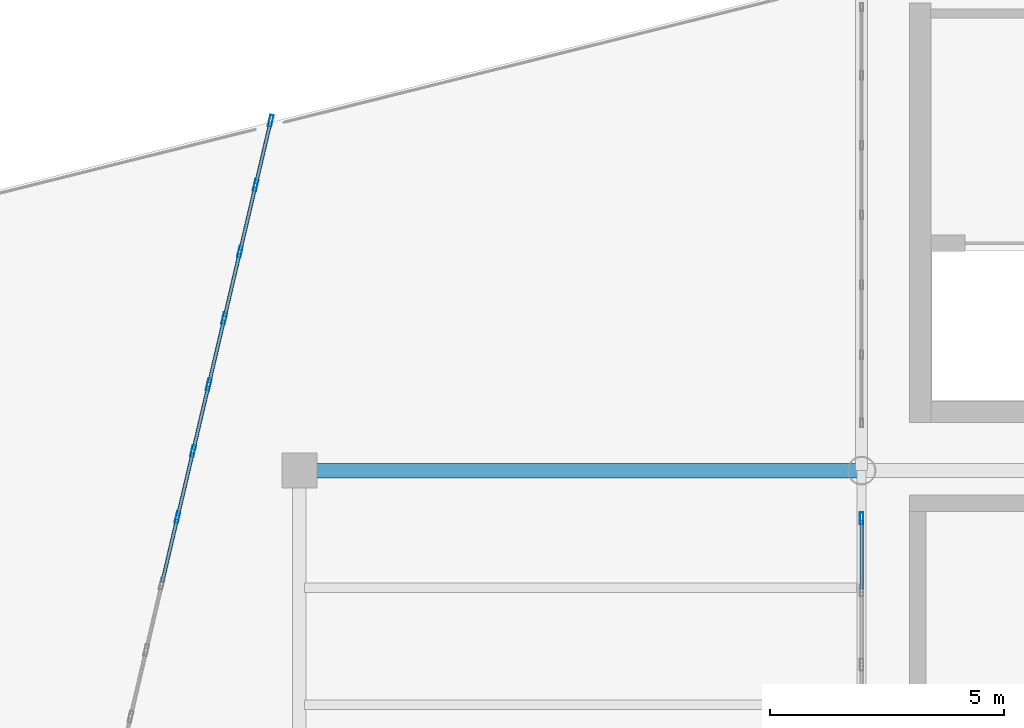
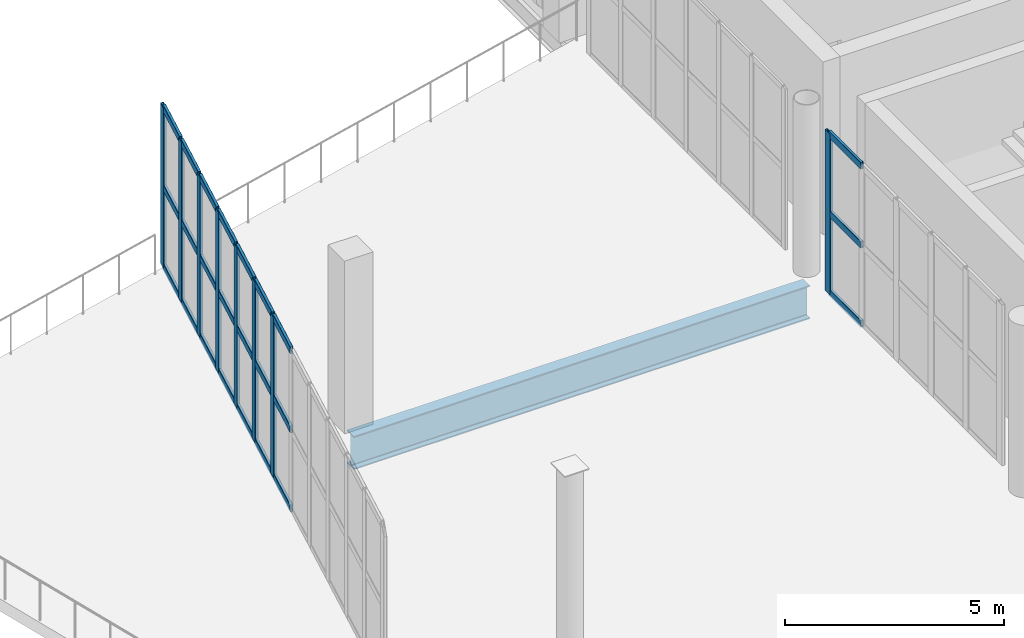
# One storey, part 47 of 136: 32 members, 1 beam, 2 elements without a shape of their own.
"""IFC4 building model written with IfcOpenShell, lengths in metres."""

from ifc_helpers import new_model, si_unit, direction, frame, origin, origin_2d, place, context, subcontext, project, spatial, hollow_rectangle, i_section, extrude, material, layer, layer_set, material_profile, profile_set, type_object, element, aggregate, save


model = new_model("IFC4")

# Units and contexts
model_context = context("Model", 3, precision=1e-05, world=origin(), true_north=direction((0.0, 1.0)))
body_context = subcontext(model_context, "Body", "Model", "MODEL_VIEW")
ifc_project = project(units=[si_unit("LENGTHUNIT", "METRE"), si_unit("AREAUNIT", "SQUARE_METRE"), si_unit("VOLUMEUNIT", "CUBIC_METRE"), si_unit("PLANEANGLEUNIT", "RADIAN"), si_unit("MASSUNIT", "GRAM", prefix="KILO")], contexts=[model_context])

# Site, building, storey
site_placement = place(None, origin())
site = spatial("IfcSite", under=ifc_project, at=site_placement, CompositionType="ELEMENT")
building_placement = place(site_placement, origin())
building = spatial("IfcBuilding", under=site, at=building_placement, Name="Brinegate Civic Arena", CompositionType="ELEMENT")
storey_placement = place(building_placement, frame((0.0, 0.0, 5.39990234375)))
storey = spatial("IfcBuildingStorey", under=building, at=storey_placement, Name="L01", CompositionType="ELEMENT", Elevation=5.39990234375)

# Curtain wall, members
ifc_material_1 = material(Name="Marine grade aluminium", Category="aluminium")
ifc_layer_1 = layer(ifc_material_1, 0.215087890625, Name="Marine grade aluminium")
ifc_layer_set_1 = layer_set([ifc_layer_1], Name="Marine grade aluminium")
curtain_wall_type_1 = type_object("IfcCurtainWallType", Name="CW-FOYER-GLAZED-02", PredefinedType="USERDEFINED", material=ifc_layer_set_1)
curtain_wall_1_placement = place(storey_placement, origin())
curtain_wall_1 = element("IfcCurtainWall", 1, at=curtain_wall_1_placement, inside=storey, type_object=curtain_wall_type_1, Name="Curtain Wall CWA-002", ObjectType="GLAZED CURTAIN WALL", PredefinedType="USERDEFINED")
ifc_material_profile_1 = material_profile(ifc_material_1, hollow_rectangle(XDim=0.074951171875, YDim=0.25, WallThickness=0.006103515625, InnerFilletRadius=0.00390625, OuterFilletRadius=0.008056640625, at=origin_2d()), Name="MUL75X250")
ifc_profile_set_1 = profile_set([ifc_material_profile_1], Name="Marine grade aluminium")
member_type_1 = type_object("IfcMemberType", Name="CW-MULLION-75X250", PredefinedType="MULLION", material=ifc_profile_set_1)
member_1_placement = place(storey_placement, frame((33.39990234375, 81.0, 0.0), z_axis=(0.0, 0.0, 1.0), x_axis=(-0.973417168334, 0.229039333722, 0.0)))
member_1 = element("IfcMember", 2, at=member_1_placement, type_object=member_type_1, Name="CWA-002 mullion 7", PredefinedType="MULLION", context=body_context, shape_type="SweptSolid", body=[
    extrude(hollow_rectangle(XDim=0.074951171875, YDim=0.25, WallThickness=0.006103515625, InnerFilletRadius=0.00390625, OuterFilletRadius=0.008056640625, at=origin_2d()), origin(), (0.0, 0.0, 1.0), 4.47021484375),
])
member_2_placement = place(storey_placement, frame((33.7333984375, 82.416748046875, 0.0), z_axis=(0.0, 0.0, 1.0), x_axis=(-0.973417168334, 0.229039333722, 0.0)))
member_2 = element("IfcMember", 3, at=member_2_placement, type_object=member_type_1, Name="CWA-002 mullion 8", PredefinedType="MULLION", context=body_context, shape_type="SweptSolid", body=[
    extrude(hollow_rectangle(XDim=0.074951171875, YDim=0.25, WallThickness=0.006103515625, InnerFilletRadius=0.00390625, OuterFilletRadius=0.008056640625, at=origin_2d()), origin(), (0.0, 0.0, 1.0), 4.47021484375),
])
member_3_placement = place(storey_placement, frame((34.066650390625, 83.833251953125, 0.0), z_axis=(0.0, 0.0, 1.0), x_axis=(-0.973417168334, 0.229039333722, 0.0)))
member_3 = element("IfcMember", 4, at=member_3_placement, type_object=member_type_1, Name="CWA-002 mullion 9", PredefinedType="MULLION", context=body_context, shape_type="SweptSolid", body=[
    extrude(hollow_rectangle(XDim=0.074951171875, YDim=0.25, WallThickness=0.006103515625, InnerFilletRadius=0.00390625, OuterFilletRadius=0.008056640625, at=origin_2d()), origin(), (0.0, 0.0, 1.0), 4.47021484375),
])
member_4_placement = place(storey_placement, frame((34.39990234375, 85.25, 0.0), z_axis=(0.0, 0.0, 1.0), x_axis=(-0.973417168334, 0.229039333722, 0.0)))
member_4 = element("IfcMember", 5, at=member_4_placement, type_object=member_type_1, Name="CWA-002 mullion 10", PredefinedType="MULLION", context=body_context, shape_type="SweptSolid", body=[
    extrude(hollow_rectangle(XDim=0.074951171875, YDim=0.25, WallThickness=0.006103515625, InnerFilletRadius=0.00390625, OuterFilletRadius=0.008056640625, at=origin_2d()), origin(), (0.0, 0.0, 1.0), 4.47021484375),
])
member_5_placement = place(storey_placement, frame((34.7333984375, 86.666748046875, 0.0), z_axis=(0.0, 0.0, 1.0), x_axis=(-0.973417168334, 0.229039333722, 0.0)))
member_5 = element("IfcMember", 6, at=member_5_placement, type_object=member_type_1, Name="CWA-002 mullion 11", PredefinedType="MULLION", context=body_context, shape_type="SweptSolid", body=[
    extrude(hollow_rectangle(XDim=0.074951171875, YDim=0.25, WallThickness=0.006103515625, InnerFilletRadius=0.00390625, OuterFilletRadius=0.008056640625, at=origin_2d()), origin(), (0.0, 0.0, 1.0), 4.47021484375),
])
member_6_placement = place(storey_placement, frame((35.066650390625, 88.083251953125, 0.0), z_axis=(0.0, 0.0, 1.0), x_axis=(-0.973417168334, 0.229039333722, 0.0)))
member_6 = element("IfcMember", 7, at=member_6_placement, type_object=member_type_1, Name="CWA-002 mullion 12", PredefinedType="MULLION", context=body_context, shape_type="SweptSolid", body=[
    extrude(hollow_rectangle(XDim=0.074951171875, YDim=0.25, WallThickness=0.006103515625, InnerFilletRadius=0.00390625, OuterFilletRadius=0.008056640625, at=origin_2d()), origin(), (0.0, 0.0, 1.0), 4.47021484375),
])
member_7_placement = place(storey_placement, frame((35.391357421875, 89.46337890625, 0.0), z_axis=(0.0, 0.0, 1.0), x_axis=(-0.973417168334, 0.229039333722, 0.0)))
member_7 = element("IfcMember", 8, at=member_7_placement, type_object=member_type_1, Name="CWA-002 mullion 13", PredefinedType="MULLION", context=body_context, shape_type="SweptSolid", body=[
    extrude(hollow_rectangle(XDim=0.074951171875, YDim=0.25, WallThickness=0.006103515625, InnerFilletRadius=0.00390625, OuterFilletRadius=0.008056640625, at=origin_2d()), origin(), (0.0, 0.0, 1.0), 4.47021484375),
])

# Curtain wall, member
ifc_layer_2 = layer(ifc_material_1, 0.199951171875, Name="Marine grade aluminium")
ifc_layer_set_2 = layer_set([ifc_layer_2], Name="Marine grade aluminium")
curtain_wall_type_2 = type_object("IfcCurtainWallType", Name="CW-BOWL-GLAZED-01", PredefinedType="USERDEFINED", material=ifc_layer_set_2)
curtain_wall_2_placement = place(storey_placement, origin())
curtain_wall_2 = element("IfcCurtainWall", 9, at=curtain_wall_2_placement, inside=storey, type_object=curtain_wall_type_2, Name="Curtain Wall CWA-056", ObjectType="GLAZED CURTAIN WALL", PredefinedType="USERDEFINED")
member_8_placement = place(storey_placement, frame((48.0, 80.9814453125, 0.0), z_axis=(0.0, 0.0, 1.0), x_axis=(-1.0, 0.0, 0.0)))
member_8 = element("IfcMember", 10, at=member_8_placement, type_object=member_type_1, Name="CWA-056 mullion 6", PredefinedType="MULLION", context=body_context, shape_type="SweptSolid", body=[
    extrude(hollow_rectangle(XDim=0.074951171875, YDim=0.25, WallThickness=0.006103515625, InnerFilletRadius=0.00390625, OuterFilletRadius=0.008056640625, at=origin_2d()), origin(), (0.0, 0.0, 1.0), 4.47021484375),
])

# Member
ifc_material_profile_2 = material_profile(ifc_material_1, hollow_rectangle(XDim=0.074951171875, YDim=0.18994140625, WallThickness=0.006103515625, InnerFilletRadius=0.00390625, OuterFilletRadius=0.008056640625, at=origin_2d()), Name="TRN75X190")
ifc_profile_set_2 = profile_set([ifc_material_profile_2], Name="Marine grade aluminium")
member_type_2 = type_object("IfcMemberType", Name="CW-TRANSOM-75X190", PredefinedType="USERDEFINED", material=ifc_profile_set_2)
member_9_placement = place(storey_placement, frame((33.0751953125, 79.619873046875, 0.03759765625), z_axis=(0.229068911478, 0.973410208388, 0.0), x_axis=(-0.973410208388, 0.229068911478, 0.0)))
member_9 = element("IfcMember", 11, at=member_9_placement, type_object=member_type_2, Name="CWA-002 transom 6.1", ObjectType="TRANSOM", PredefinedType="USERDEFINED", context=body_context, shape_type="SweptSolid", body=[
    extrude(hollow_rectangle(XDim=0.074951171875, YDim=0.18994140625, WallThickness=0.006103515625, InnerFilletRadius=0.00390625, OuterFilletRadius=0.008056640625, at=origin_2d()), origin(), (0.0, 0.0, 1.0), 1.380126953125),
])

member_10_placement = place(storey_placement, frame((33.0751953125, 79.619873046875, 2.235107421875), z_axis=(0.229068911478, 0.973410208388, 0.0), x_axis=(-0.973410208388, 0.229068911478, 0.0)))
member_10 = element("IfcMember", 12, at=member_10_placement, type_object=member_type_2, Name="CWA-002 transom 6.2", ObjectType="TRANSOM", PredefinedType="USERDEFINED", context=body_context, shape_type="SweptSolid", body=[
    extrude(hollow_rectangle(XDim=0.074951171875, YDim=0.18994140625, WallThickness=0.006103515625, InnerFilletRadius=0.00390625, OuterFilletRadius=0.008056640625, at=origin_2d()), origin(), (0.0, 0.0, 1.0), 1.380126953125),
])

member_11_placement = place(storey_placement, frame((33.0751953125, 79.619873046875, 4.4326171875), z_axis=(0.229068911478, 0.973410208388, 0.0), x_axis=(-0.973410208388, 0.229068911478, 0.0)))
member_11 = element("IfcMember", 13, at=member_11_placement, type_object=member_type_2, Name="CWA-002 transom 6.3", ObjectType="TRANSOM", PredefinedType="USERDEFINED", context=body_context, shape_type="SweptSolid", body=[
    extrude(hollow_rectangle(XDim=0.074951171875, YDim=0.18994140625, WallThickness=0.006103515625, InnerFilletRadius=0.00390625, OuterFilletRadius=0.008056640625, at=origin_2d()), origin(), (0.0, 0.0, 1.0), 1.380126953125),
])

member_12_placement = place(storey_placement, frame((33.40869140625, 81.03662109375, 0.03759765625), z_axis=(0.229068911478, 0.973410208388, 0.0), x_axis=(-0.973410208388, 0.229068911478, 0.0)))
member_12 = element("IfcMember", 14, at=member_12_placement, type_object=member_type_2, Name="CWA-002 transom 7.1", ObjectType="TRANSOM", PredefinedType="USERDEFINED", context=body_context, shape_type="SweptSolid", body=[
    extrude(hollow_rectangle(XDim=0.074951171875, YDim=0.18994140625, WallThickness=0.006103515625, InnerFilletRadius=0.00390625, OuterFilletRadius=0.008056640625, at=origin_2d()), origin(), (0.0, 0.0, 1.0), 1.380126953125),
])

member_13_placement = place(storey_placement, frame((33.40869140625, 81.03662109375, 2.235107421875), z_axis=(0.229068911478, 0.973410208388, 0.0), x_axis=(-0.973410208388, 0.229068911478, 0.0)))
member_13 = element("IfcMember", 15, at=member_13_placement, type_object=member_type_2, Name="CWA-002 transom 7.2", ObjectType="TRANSOM", PredefinedType="USERDEFINED", context=body_context, shape_type="SweptSolid", body=[
    extrude(hollow_rectangle(XDim=0.074951171875, YDim=0.18994140625, WallThickness=0.006103515625, InnerFilletRadius=0.00390625, OuterFilletRadius=0.008056640625, at=origin_2d()), origin(), (0.0, 0.0, 1.0), 1.380126953125),
])

member_14_placement = place(storey_placement, frame((33.40869140625, 81.03662109375, 4.4326171875), z_axis=(0.229068911478, 0.973410208388, 0.0), x_axis=(-0.973410208388, 0.229068911478, 0.0)))
member_14 = element("IfcMember", 16, at=member_14_placement, type_object=member_type_2, Name="CWA-002 transom 7.3", ObjectType="TRANSOM", PredefinedType="USERDEFINED", context=body_context, shape_type="SweptSolid", body=[
    extrude(hollow_rectangle(XDim=0.074951171875, YDim=0.18994140625, WallThickness=0.006103515625, InnerFilletRadius=0.00390625, OuterFilletRadius=0.008056640625, at=origin_2d()), origin(), (0.0, 0.0, 1.0), 1.380126953125),
])

member_15_placement = place(storey_placement, frame((33.741943359375, 82.453125, 0.03759765625), z_axis=(0.229029476125, 0.973419487716, 0.0), x_axis=(-0.973419487716, 0.229029476125, 0.0)))
member_15 = element("IfcMember", 17, at=member_15_placement, type_object=member_type_2, Name="CWA-002 transom 8.1", ObjectType="TRANSOM", PredefinedType="USERDEFINED", context=body_context, shape_type="SweptSolid", body=[
    extrude(hollow_rectangle(XDim=0.074951171875, YDim=0.18994140625, WallThickness=0.006103515625, InnerFilletRadius=0.00390625, OuterFilletRadius=0.008056640625, at=origin_2d()), origin(), (0.0, 0.0, 1.0), 1.38037109375),
])

member_16_placement = place(storey_placement, frame((33.741943359375, 82.453125, 2.235107421875), z_axis=(0.229029476125, 0.973419487716, 0.0), x_axis=(-0.973419487716, 0.229029476125, 0.0)))
member_16 = element("IfcMember", 18, at=member_16_placement, type_object=member_type_2, Name="CWA-002 transom 8.2", ObjectType="TRANSOM", PredefinedType="USERDEFINED", context=body_context, shape_type="SweptSolid", body=[
    extrude(hollow_rectangle(XDim=0.074951171875, YDim=0.18994140625, WallThickness=0.006103515625, InnerFilletRadius=0.00390625, OuterFilletRadius=0.008056640625, at=origin_2d()), origin(), (0.0, 0.0, 1.0), 1.38037109375),
])

member_17_placement = place(storey_placement, frame((33.741943359375, 82.453125, 4.4326171875), z_axis=(0.229029476125, 0.973419487716, 0.0), x_axis=(-0.973419487716, 0.229029476125, 0.0)))
member_17 = element("IfcMember", 19, at=member_17_placement, type_object=member_type_2, Name="CWA-002 transom 8.3", ObjectType="TRANSOM", PredefinedType="USERDEFINED", context=body_context, shape_type="SweptSolid", body=[
    extrude(hollow_rectangle(XDim=0.074951171875, YDim=0.18994140625, WallThickness=0.006103515625, InnerFilletRadius=0.00390625, OuterFilletRadius=0.008056640625, at=origin_2d()), origin(), (0.0, 0.0, 1.0), 1.38037109375),
])

member_18_placement = place(storey_placement, frame((34.0751953125, 83.869873046875, 0.03759765625), z_axis=(0.229068911478, 0.973410208388, 0.0), x_axis=(-0.973410208388, 0.229068911478, 0.0)))
member_18 = element("IfcMember", 20, at=member_18_placement, type_object=member_type_2, Name="CWA-002 transom 9.1", ObjectType="TRANSOM", PredefinedType="USERDEFINED", context=body_context, shape_type="SweptSolid", body=[
    extrude(hollow_rectangle(XDim=0.074951171875, YDim=0.18994140625, WallThickness=0.006103515625, InnerFilletRadius=0.00390625, OuterFilletRadius=0.008056640625, at=origin_2d()), origin(), (0.0, 0.0, 1.0), 1.380126953125),
])

member_19_placement = place(storey_placement, frame((34.0751953125, 83.869873046875, 2.235107421875), z_axis=(0.229068911478, 0.973410208388, 0.0), x_axis=(-0.973410208388, 0.229068911478, 0.0)))
member_19 = element("IfcMember", 21, at=member_19_placement, type_object=member_type_2, Name="CWA-002 transom 9.2", ObjectType="TRANSOM", PredefinedType="USERDEFINED", context=body_context, shape_type="SweptSolid", body=[
    extrude(hollow_rectangle(XDim=0.074951171875, YDim=0.18994140625, WallThickness=0.006103515625, InnerFilletRadius=0.00390625, OuterFilletRadius=0.008056640625, at=origin_2d()), origin(), (0.0, 0.0, 1.0), 1.380126953125),
])

member_20_placement = place(storey_placement, frame((34.0751953125, 83.869873046875, 4.4326171875), z_axis=(0.229068911478, 0.973410208388, 0.0), x_axis=(-0.973410208388, 0.229068911478, 0.0)))
member_20 = element("IfcMember", 22, at=member_20_placement, type_object=member_type_2, Name="CWA-002 transom 9.3", ObjectType="TRANSOM", PredefinedType="USERDEFINED", context=body_context, shape_type="SweptSolid", body=[
    extrude(hollow_rectangle(XDim=0.074951171875, YDim=0.18994140625, WallThickness=0.006103515625, InnerFilletRadius=0.00390625, OuterFilletRadius=0.008056640625, at=origin_2d()), origin(), (0.0, 0.0, 1.0), 1.380126953125),
])

member_21_placement = place(storey_placement, frame((34.40869140625, 85.28662109375, 0.03759765625), z_axis=(0.229068911478, 0.973410208388, 0.0), x_axis=(-0.973410208388, 0.229068911478, 0.0)))
member_21 = element("IfcMember", 23, at=member_21_placement, type_object=member_type_2, Name="CWA-002 transom 10.1", ObjectType="TRANSOM", PredefinedType="USERDEFINED", context=body_context, shape_type="SweptSolid", body=[
    extrude(hollow_rectangle(XDim=0.074951171875, YDim=0.18994140625, WallThickness=0.006103515625, InnerFilletRadius=0.00390625, OuterFilletRadius=0.008056640625, at=origin_2d()), origin(), (0.0, 0.0, 1.0), 1.380126953125),
])

member_22_placement = place(storey_placement, frame((34.40869140625, 85.28662109375, 2.235107421875), z_axis=(0.229068911478, 0.973410208388, 0.0), x_axis=(-0.973410208388, 0.229068911478, 0.0)))
member_22 = element("IfcMember", 24, at=member_22_placement, type_object=member_type_2, Name="CWA-002 transom 10.2", ObjectType="TRANSOM", PredefinedType="USERDEFINED", context=body_context, shape_type="SweptSolid", body=[
    extrude(hollow_rectangle(XDim=0.074951171875, YDim=0.18994140625, WallThickness=0.006103515625, InnerFilletRadius=0.00390625, OuterFilletRadius=0.008056640625, at=origin_2d()), origin(), (0.0, 0.0, 1.0), 1.380126953125),
])

member_23_placement = place(storey_placement, frame((34.40869140625, 85.28662109375, 4.4326171875), z_axis=(0.229068911478, 0.973410208388, 0.0), x_axis=(-0.973410208388, 0.229068911478, 0.0)))
member_23 = element("IfcMember", 25, at=member_23_placement, type_object=member_type_2, Name="CWA-002 transom 10.3", ObjectType="TRANSOM", PredefinedType="USERDEFINED", context=body_context, shape_type="SweptSolid", body=[
    extrude(hollow_rectangle(XDim=0.074951171875, YDim=0.18994140625, WallThickness=0.006103515625, InnerFilletRadius=0.00390625, OuterFilletRadius=0.008056640625, at=origin_2d()), origin(), (0.0, 0.0, 1.0), 1.380126953125),
])

member_24_placement = place(storey_placement, frame((34.741943359375, 86.703125, 0.03759765625), z_axis=(0.229029476125, 0.973419487716, 0.0), x_axis=(-0.973419487716, 0.229029476125, 0.0)))
member_24 = element("IfcMember", 26, at=member_24_placement, type_object=member_type_2, Name="CWA-002 transom 11.1", ObjectType="TRANSOM", PredefinedType="USERDEFINED", context=body_context, shape_type="SweptSolid", body=[
    extrude(hollow_rectangle(XDim=0.074951171875, YDim=0.18994140625, WallThickness=0.006103515625, InnerFilletRadius=0.00390625, OuterFilletRadius=0.008056640625, at=origin_2d()), origin(), (0.0, 0.0, 1.0), 1.38037109375),
])

member_25_placement = place(storey_placement, frame((34.741943359375, 86.703125, 2.235107421875), z_axis=(0.229029476125, 0.973419487716, 0.0), x_axis=(-0.973419487716, 0.229029476125, 0.0)))
member_25 = element("IfcMember", 27, at=member_25_placement, type_object=member_type_2, Name="CWA-002 transom 11.2", ObjectType="TRANSOM", PredefinedType="USERDEFINED", context=body_context, shape_type="SweptSolid", body=[
    extrude(hollow_rectangle(XDim=0.074951171875, YDim=0.18994140625, WallThickness=0.006103515625, InnerFilletRadius=0.00390625, OuterFilletRadius=0.008056640625, at=origin_2d()), origin(), (0.0, 0.0, 1.0), 1.38037109375),
])

member_26_placement = place(storey_placement, frame((34.741943359375, 86.703125, 4.4326171875), z_axis=(0.229029476125, 0.973419487716, 0.0), x_axis=(-0.973419487716, 0.229029476125, 0.0)))
member_26 = element("IfcMember", 28, at=member_26_placement, type_object=member_type_2, Name="CWA-002 transom 11.3", ObjectType="TRANSOM", PredefinedType="USERDEFINED", context=body_context, shape_type="SweptSolid", body=[
    extrude(hollow_rectangle(XDim=0.074951171875, YDim=0.18994140625, WallThickness=0.006103515625, InnerFilletRadius=0.00390625, OuterFilletRadius=0.008056640625, at=origin_2d()), origin(), (0.0, 0.0, 1.0), 1.38037109375),
])

member_27_placement = place(storey_placement, frame((35.0751953125, 88.119873046875, 0.03759765625), z_axis=(0.229079868086, 0.973407629946, 0.0), x_axis=(-0.973407629946, 0.229079868086, 0.0)))
member_27 = element("IfcMember", 29, at=member_27_placement, type_object=member_type_2, Name="CWA-002 transom 12.1", ObjectType="TRANSOM", PredefinedType="USERDEFINED", context=body_context, shape_type="SweptSolid", body=[
    extrude(hollow_rectangle(XDim=0.074951171875, YDim=0.18994140625, WallThickness=0.006103515625, InnerFilletRadius=0.00390625, OuterFilletRadius=0.008056640625, at=origin_2d()), origin(), (0.0, 0.0, 1.0), 1.3427734375),
])

member_28_placement = place(storey_placement, frame((35.0751953125, 88.119873046875, 2.235107421875), z_axis=(0.229079868086, 0.973407629946, 0.0), x_axis=(-0.973407629946, 0.229079868086, 0.0)))
member_28 = element("IfcMember", 30, at=member_28_placement, type_object=member_type_2, Name="CWA-002 transom 12.2", ObjectType="TRANSOM", PredefinedType="USERDEFINED", context=body_context, shape_type="SweptSolid", body=[
    extrude(hollow_rectangle(XDim=0.074951171875, YDim=0.18994140625, WallThickness=0.006103515625, InnerFilletRadius=0.00390625, OuterFilletRadius=0.008056640625, at=origin_2d()), origin(), (0.0, 0.0, 1.0), 1.3427734375),
])

member_29_placement = place(storey_placement, frame((35.0751953125, 88.119873046875, 4.4326171875), z_axis=(0.229079868086, 0.973407629946, 0.0), x_axis=(-0.973407629946, 0.229079868086, 0.0)))
member_29 = element("IfcMember", 31, at=member_29_placement, type_object=member_type_2, Name="CWA-002 transom 12.3", ObjectType="TRANSOM", PredefinedType="USERDEFINED", context=body_context, shape_type="SweptSolid", body=[
    extrude(hollow_rectangle(XDim=0.074951171875, YDim=0.18994140625, WallThickness=0.006103515625, InnerFilletRadius=0.00390625, OuterFilletRadius=0.008056640625, at=origin_2d()), origin(), (0.0, 0.0, 1.0), 1.3427734375),
])

aggregate(curtain_wall_1, [member_1, member_2, member_3, member_4, member_5, member_6, member_7, member_9, member_10, member_11, member_12, member_13, member_14, member_15, member_16, member_17, member_18, member_19, member_20, member_21, member_22, member_23, member_24, member_25, member_26, member_27, member_28, member_29])

member_30_placement = place(storey_placement, frame((48.0, 79.475830078125, 0.03759765625), z_axis=(0.0, 1.0, 0.0), x_axis=(-1.0, 0.0, 0.0)))
member_30 = element("IfcMember", 32, at=member_30_placement, type_object=member_type_2, Name="CWA-056 transom 5.1", ObjectType="TRANSOM", PredefinedType="USERDEFINED", context=body_context, shape_type="SweptSolid", body=[
    extrude(hollow_rectangle(XDim=0.074951171875, YDim=0.18994140625, WallThickness=0.006103515625, InnerFilletRadius=0.00390625, OuterFilletRadius=0.008056640625, at=origin_2d()), origin(), (0.0, 0.0, 1.0), 1.46826171875),
])

member_31_placement = place(storey_placement, frame((48.0, 79.475830078125, 2.235107421875), z_axis=(0.0, 1.0, 0.0), x_axis=(-1.0, 0.0, 0.0)))
member_31 = element("IfcMember", 33, at=member_31_placement, type_object=member_type_2, Name="CWA-056 transom 5.2", ObjectType="TRANSOM", PredefinedType="USERDEFINED", context=body_context, shape_type="SweptSolid", body=[
    extrude(hollow_rectangle(XDim=0.074951171875, YDim=0.18994140625, WallThickness=0.006103515625, InnerFilletRadius=0.00390625, OuterFilletRadius=0.008056640625, at=origin_2d()), origin(), (0.0, 0.0, 1.0), 1.46826171875),
])

member_32_placement = place(storey_placement, frame((48.0, 79.475830078125, 4.4326171875), z_axis=(0.0, 1.0, 0.0), x_axis=(-1.0, 0.0, 0.0)))
member_32 = element("IfcMember", 34, at=member_32_placement, type_object=member_type_2, Name="CWA-056 transom 5.3", ObjectType="TRANSOM", PredefinedType="USERDEFINED", context=body_context, shape_type="SweptSolid", body=[
    extrude(hollow_rectangle(XDim=0.074951171875, YDim=0.18994140625, WallThickness=0.006103515625, InnerFilletRadius=0.00390625, OuterFilletRadius=0.008056640625, at=origin_2d()), origin(), (0.0, 0.0, 1.0), 1.46826171875),
])

aggregate(curtain_wall_2, [member_8, member_30, member_31, member_32])

# Beam
ifc_material_2 = material(Name="Steel S355", Category="steel")
ifc_material_profile_3 = material_profile(ifc_material_2, i_section(OverallWidth=0.30810546875, OverallDepth=0.927001953125, WebThickness=0.01904296875, FlangeThickness=0.031982421875, FilletRadius=0.02392578125, at=origin_2d()), Name="W920X289")
ifc_profile_set_3 = profile_set([ifc_material_profile_3], Name="Steel S355")
beam_type = type_object("IfcBeamType", Name="GIRDER-W920X289", PredefinedType="BEAM", material=ifc_profile_set_3)
beam_placement = place(storey_placement, frame((36.0, 82.0, -0.802978515625), z_axis=(1.0, 0.0, 0.0), x_axis=(0.0, 1.0, 0.0)))
element("IfcBeam", 35, at=beam_placement, inside=storey, type_object=beam_type, Name="Floor Girder BM-L01-GX-03-08", PredefinedType="BEAM", context=body_context, shape_type="SweptSolid", body=[
    extrude(i_section(OverallWidth=0.30810546875, OverallDepth=0.927001953125, WebThickness=0.01904296875, FlangeThickness=0.031982421875, FilletRadius=0.02392578125, at=origin_2d()), origin(), (0.0, 0.0, 1.0), 12.0),
])

save(model, "model.ifc")
